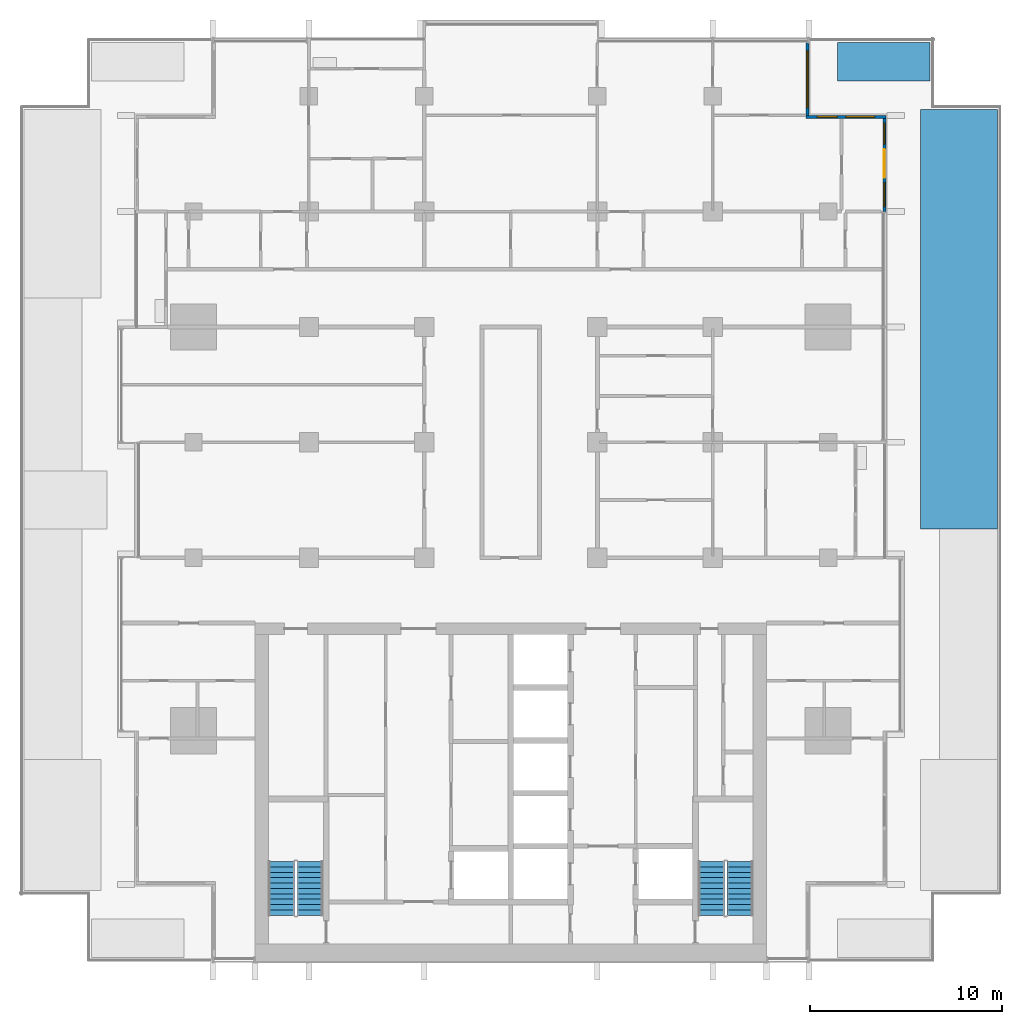
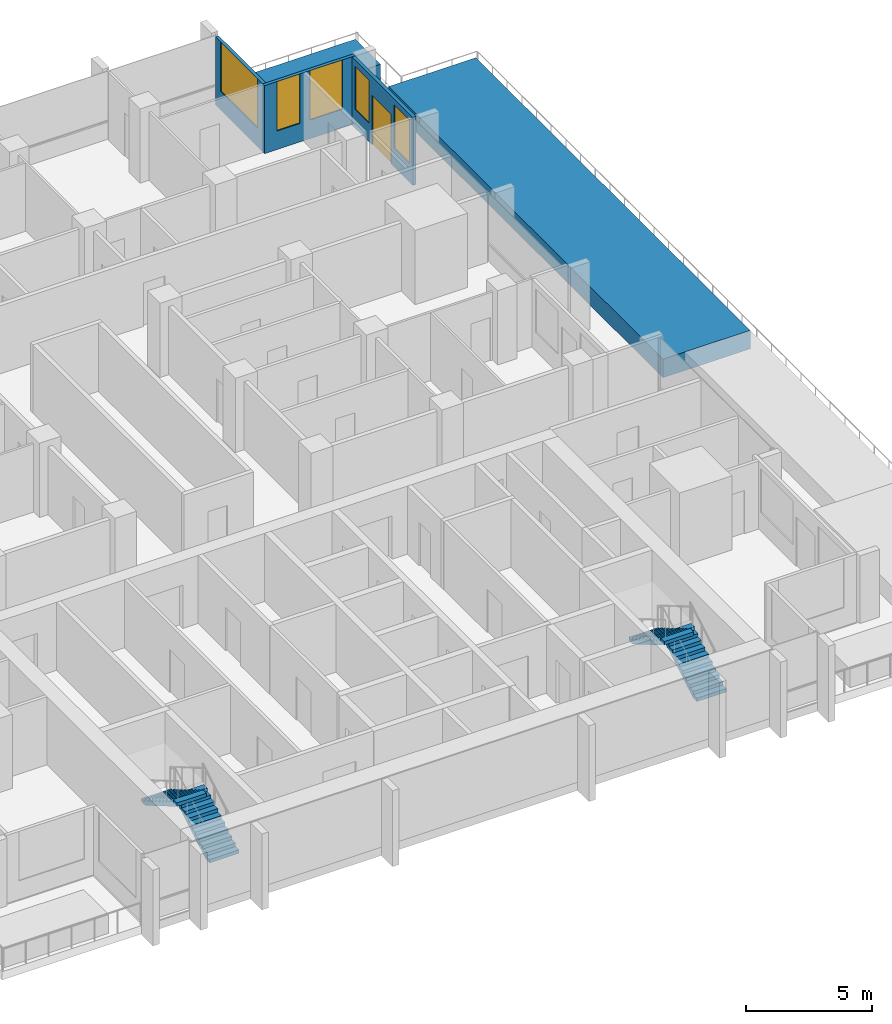
# One storey, part 12 of 18: 5 walls, 5 windows, 4 stair flights, 1 door, 6 openings, 2 elements without a shape of their own.
"""IFC4 building model written with IfcOpenShell, lengths in metres."""

from ifc_helpers import new_model, si_unit, direction, frame, frame_2d, origin, place, context, subcontext, project, spatial, polyline, rectangle, outline, extrude, material, layer, layer_set, type_object, element, fill, aggregate, save


model = new_model("IFC4")

# Units and contexts
model_context = context("Model", 3, precision=1e-05, world=origin(), true_north=direction((0.0, 1.0)))
body_context = subcontext(model_context, "Body", "Model", "MODEL_VIEW")
ifc_project = project(units=[si_unit("LENGTHUNIT", "METRE"), si_unit("AREAUNIT", "SQUARE_METRE"), si_unit("VOLUMEUNIT", "CUBIC_METRE"), si_unit("PLANEANGLEUNIT", "RADIAN"), si_unit("MASSUNIT", "GRAM", prefix="KILO")], contexts=[model_context])

# Site, building, storey
site_placement = place(None, origin())
site = spatial("IfcSite", under=ifc_project, at=site_placement, CompositionType="ELEMENT")
building_placement = place(site_placement, origin())
building = spatial("IfcBuilding", under=site, at=building_placement, Name="Finial Court Residences", CompositionType="ELEMENT")
storey_placement = place(building_placement, frame((0.0, 0.0, 149.300048828125)))
storey = spatial("IfcBuildingStorey", under=building, at=storey_placement, Name="L36", CompositionType="ELEMENT", Elevation=149.300048828125)

# Wall, opening, window
ifc_material_1 = material(Name="Natural limestone", Category="masonry")
ifc_layer_1 = layer(ifc_material_1, 0.14990234375)
ifc_layer_set_1 = layer_set([ifc_layer_1], Name="Limestone clad wall 150")
wall_type_1 = type_object("IfcWallType", Name="Limestone clad wall 150", PredefinedType="SOLIDWALL", material=ifc_layer_set_1)
wall_1_placement = place(storey_placement, frame((15.425048828125, 22.262451171875, 0.0), z_axis=(0.0, 0.0, 1.0), x_axis=(0.0, -1.0, 0.0)))
wall_1 = element("IfcWall", 1, at=wall_1_placement, inside=storey, type_object=wall_type_1, Name="E-L36-NWE17", PredefinedType="SOLIDWALL", context=body_context, shape_type="SweptSolid", body=[
    extrude(rectangle(XDim=3.762451171875, YDim=0.14990234375, at=frame_2d((1.88134765625, 0.0))), origin(), (0.0, 0.0, 1.0), 3.300048828125),
])
opening_1_placement = place(wall_1_placement, frame((0.401123046875, 0.0, 0.89990234375)))
opening_1 = element("IfcOpeningElement", 2, at=opening_1_placement, cuts=wall_1, Name="Opening WE36-07", PredefinedType="OPENING", context=body_context, shape_type="SweptSolid", body=[
    extrude(rectangle(XDim=2.9599609375, YDim=2.39990234375, at=frame_2d((1.47998046875, 1.199951171875))), frame((0.0, 0.0849609375, 0.0), z_axis=(0.0, -1.0, 0.0), x_axis=(1.0, 0.0, 0.0)), (0.0, 0.0, 1.0), 0.169921875),
])
ifc_material_2 = material(Name="Clear low-e glass", Category="glass")
window_type_1 = type_object("IfcWindowType", Name="Corner window 2960 x 2400", PartitioningType="SINGLE_PANEL", PredefinedType="WINDOW", material=ifc_material_2)
window_1_placement = place(opening_1_placement, origin())
window_1 = element("IfcWindow", 3, at=window_1_placement, inside=storey, type_object=window_type_1, Name="E-L36-NWE17-W1", OverallHeight=2.39990234375, OverallWidth=2.9599609375, PartitioningType="SINGLE_PANEL", PredefinedType="WINDOW", context=body_context, shape_type="SweptSolid", body=[
    extrude(rectangle(XDim=2.9599609375, YDim=2.39990234375, at=frame_2d((1.47998046875, 1.199951171875))), frame((0.0, 0.030029296875, 0.0), z_axis=(0.0, -1.0, 0.0), x_axis=(1.0, 0.0, 0.0)), (0.0, 0.0, 1.0), 0.06005859375),
])
fill(opening_1, window_1)

# Wall, openings, windows
wall_2_placement = place(storey_placement, frame((15.35009765625, 18.425048828125, 0.0), z_axis=(0.0, 0.0, 1.0), x_axis=(1.0, 0.0, 0.0)))
wall_2 = element("IfcWall", 4, at=wall_2_placement, inside=storey, type_object=wall_type_1, Name="E-L36-NWN18", PredefinedType="SOLIDWALL", context=body_context, shape_type="SweptSolid", body=[
    extrude(rectangle(XDim=4.14990234375, YDim=0.14990234375, at=frame_2d((2.074951171875, 0.0))), origin(), (0.0, 0.0, 1.0), 3.300048828125),
])
opening_2_placement = place(wall_2_placement, frame((0.574951171875, 0.0, 0.89990234375)))
opening_2 = element("IfcOpeningElement", 5, at=opening_2_placement, cuts=wall_2, Name="Opening WE36-08", PredefinedType="OPENING", context=body_context, shape_type="SweptSolid", body=[
    extrude(rectangle(XDim=1.050048828125, YDim=2.39990234375, at=frame_2d((0.52490234375, 1.199951171875))), frame((0.0, 0.0849609375, 0.0), z_axis=(0.0, -1.0, 0.0), x_axis=(1.0, 0.0, 0.0)), (0.0, 0.0, 1.0), 0.169921875),
])
opening_3_placement = place(wall_2_placement, frame((2.074951171875, 0.0, 0.89990234375)))
opening_3 = element("IfcOpeningElement", 6, at=opening_3_placement, cuts=wall_2, Name="Opening WE36-09", PredefinedType="OPENING", context=body_context, shape_type="SweptSolid", body=[
    extrude(rectangle(XDim=1.5, YDim=2.39990234375, at=frame_2d((0.75, 1.199951171875))), frame((0.0, 0.0849609375, 0.0), z_axis=(0.0, -1.0, 0.0), x_axis=(1.0, 0.0, 0.0)), (0.0, 0.0, 1.0), 0.169921875),
])
window_type_2 = type_object("IfcWindowType", Name="Corner window 1050 x 2400", PartitioningType="SINGLE_PANEL", PredefinedType="WINDOW", material=ifc_material_2)
window_2_placement = place(opening_2_placement, origin())
window_2 = element("IfcWindow", 7, at=window_2_placement, inside=storey, type_object=window_type_2, Name="E-L36-NWN18-W1", OverallHeight=2.39990234375, OverallWidth=1.050048828125, PartitioningType="SINGLE_PANEL", PredefinedType="WINDOW", context=body_context, shape_type="SweptSolid", body=[
    extrude(rectangle(XDim=1.050048828125, YDim=2.39990234375, at=frame_2d((0.52490234375, 1.199951171875))), frame((0.0, 0.030029296875, 0.0), z_axis=(0.0, -1.0, 0.0), x_axis=(1.0, 0.0, 0.0)), (0.0, 0.0, 1.0), 0.06005859375),
])
fill(opening_2, window_2)
window_type_3 = type_object("IfcWindowType", Name="Corner window 1500 x 2400", PartitioningType="SINGLE_PANEL", PredefinedType="WINDOW", material=ifc_material_2)
window_3_placement = place(opening_3_placement, origin())
window_3 = element("IfcWindow", 8, at=window_3_placement, inside=storey, type_object=window_type_3, Name="E-L36-NWN18-W2", OverallHeight=2.39990234375, OverallWidth=1.5, PartitioningType="SINGLE_PANEL", PredefinedType="WINDOW", context=body_context, shape_type="SweptSolid", body=[
    extrude(rectangle(XDim=1.5, YDim=2.39990234375, at=frame_2d((0.75, 1.199951171875))), frame((0.0, 0.030029296875, 0.0), z_axis=(0.0, -1.0, 0.0), x_axis=(1.0, 0.0, 0.0)), (0.0, 0.0, 1.0), 0.06005859375),
])
fill(opening_3, window_3)

# Wall, openings, door, windows
wall_3_placement = place(storey_placement, frame((19.425048828125, 18.35009765625, 0.0), z_axis=(0.0, 0.0, 1.0), x_axis=(0.0, -1.0, 0.0)))
wall_3 = element("IfcWall", 9, at=wall_3_placement, inside=storey, type_object=wall_type_1, Name="E-L36-L36-TD2-W", PredefinedType="SOLIDWALL", context=body_context, shape_type="SweptSolid", body=[
    extrude(rectangle(XDim=4.85009765625, YDim=0.14990234375, at=frame_2d((2.425048828125, 0.0))), origin(), (0.0, 0.0, 1.0), 3.300048828125),
])
opening_4_placement = place(wall_3_placement, frame((1.60009765625, 0.0, 0.0)))
opening_4 = element("IfcOpeningElement", 10, at=opening_4_placement, cuts=wall_3, Name="Opening DE36-05", PredefinedType="OPENING", context=body_context, shape_type="SweptSolid", body=[
    extrude(rectangle(XDim=1.5, YDim=2.39990234375, at=frame_2d((0.75, 1.199951171875))), frame((0.0, 0.0849609375, 0.0), z_axis=(0.0, -1.0, 0.0), x_axis=(1.0, 0.0, 0.0)), (0.0, 0.0, 1.0), 0.169921875),
])
opening_5_placement = place(wall_3_placement, frame((3.35009765625, 0.0, 0.89990234375)))
opening_5 = element("IfcOpeningElement", 11, at=opening_5_placement, cuts=wall_3, Name="Opening WE36-17", PredefinedType="OPENING", context=body_context, shape_type="SweptSolid", body=[
    extrude(rectangle(XDim=1.25, YDim=2.10009765625, at=frame_2d((0.625, 1.050048828125))), frame((0.0, 0.0849609375, 0.0), z_axis=(0.0, -1.0, 0.0), x_axis=(1.0, 0.0, 0.0)), (0.0, 0.0, 1.0), 0.169921875),
])
opening_6_placement = place(wall_3_placement, frame((0.25, 0.0, 0.89990234375)))
opening_6 = element("IfcOpeningElement", 12, at=opening_6_placement, cuts=wall_3, Name="Opening WE36-18", PredefinedType="OPENING", context=body_context, shape_type="SweptSolid", body=[
    extrude(rectangle(XDim=1.10009765625, YDim=2.10009765625, at=frame_2d((0.550048828125, 1.050048828125))), frame((0.0, 0.0849609375, 0.0), z_axis=(0.0, -1.0, 0.0), x_axis=(1.0, 0.0, 0.0)), (0.0, 0.0, 1.0), 0.169921875),
])
ifc_material_3 = material(Name="Bronze anodised aluminium", Category="aluminium")
door_type = type_object("IfcDoorType", Name="Terrace door 1500 x 2400", OperationType="DOUBLE_DOOR_SINGLE_SWING", PredefinedType="DOOR", material=ifc_material_3)
door_placement = place(opening_4_placement, origin())
door = element("IfcDoor", 13, at=door_placement, inside=storey, type_object=door_type, Name="E-L36-L36-TD2-W-D", OperationType="DOUBLE_DOOR_SINGLE_SWING", OverallHeight=2.39990234375, OverallWidth=1.5, PredefinedType="DOOR", context=body_context, shape_type="SweptSolid", body=[
    extrude(rectangle(XDim=1.5, YDim=2.39990234375, at=frame_2d((0.75, 1.199951171875))), frame((0.0, 0.02490234375, 0.0), z_axis=(0.0, -1.0, 0.0), x_axis=(1.0, 0.0, 0.0)), (0.0, 0.0, 1.0), 0.050048828125),
])
fill(opening_4, door)
window_type_4 = type_object("IfcWindowType", Name="Terrace window 1100 x 2100", PartitioningType="SINGLE_PANEL", PredefinedType="WINDOW", material=ifc_material_2)
window_4_placement = place(opening_6_placement, origin())
window_4 = element("IfcWindow", 14, at=window_4_placement, inside=storey, type_object=window_type_4, Name="E-L36-L36-TD2-W-W2", OverallHeight=2.10009765625, OverallWidth=1.10009765625, PartitioningType="SINGLE_PANEL", PredefinedType="WINDOW", context=body_context, shape_type="SweptSolid", body=[
    extrude(rectangle(XDim=1.10009765625, YDim=2.10009765625, at=frame_2d((0.550048828125, 1.050048828125))), frame((0.0, 0.030029296875, 0.0), z_axis=(0.0, -1.0, 0.0), x_axis=(1.0, 0.0, 0.0)), (0.0, 0.0, 1.0), 0.06005859375),
])
fill(opening_6, window_4)
window_type_5 = type_object("IfcWindowType", Name="Terrace window 1250 x 2100", PartitioningType="SINGLE_PANEL", PredefinedType="WINDOW", material=ifc_material_2)
window_5_placement = place(opening_5_placement, origin())
window_5 = element("IfcWindow", 15, at=window_5_placement, inside=storey, type_object=window_type_5, Name="E-L36-L36-TD2-W-W1", OverallHeight=2.10009765625, OverallWidth=1.25, PartitioningType="SINGLE_PANEL", PredefinedType="WINDOW", context=body_context, shape_type="SweptSolid", body=[
    extrude(rectangle(XDim=1.25, YDim=2.10009765625, at=frame_2d((0.625, 1.050048828125))), frame((0.0, 0.030029296875, 0.0), z_axis=(0.0, -1.0, 0.0), x_axis=(1.0, 0.0, 0.0)), (0.0, 0.0, 1.0), 0.06005859375),
])
fill(opening_5, window_5)

# Walls
ifc_material_4 = material(Name="Concrete C40/50", Category="concrete")
ifc_layer_2 = layer(ifc_material_4, 0.199951171875)
ifc_material_5 = material(Name="Planting soil", Category="soil")
ifc_layer_3 = layer(ifc_material_5, 1.60009765625)
ifc_layer_4 = layer(ifc_material_4, 0.199951171875)
ifc_layer_set_2 = layer_set([ifc_layer_2, ifc_layer_3, ifc_layer_4], Name="Planter wall, terrace 2000")
wall_type_2 = type_object("IfcWallType", Name="Planter wall, terrace 2000", PredefinedType="USERDEFINED", material=ifc_layer_set_2)
wall_4_placement = place(storey_placement, frame((17.0, 21.300048828125, 0.0), z_axis=(0.0, 0.0, 1.0), x_axis=(1.0, 0.0, 0.0)))
element("IfcWall", 16, at=wall_4_placement, inside=storey, type_object=wall_type_2, Name="E-L36-TER1-PL2", ObjectType="PLANTER", PredefinedType="USERDEFINED", context=body_context, shape_type="SweptSolid", body=[
    extrude(rectangle(XDim=4.800048828125, YDim=2.0, at=frame_2d((2.39990234375, 0.0))), origin(), (0.0, 0.0, 1.0), 0.89990234375),
])
ifc_layer_5 = layer(ifc_material_4, 0.199951171875)
ifc_layer_6 = layer(ifc_material_5, 3.60009765625)
ifc_layer_7 = layer(ifc_material_4, 0.199951171875)
ifc_layer_set_3 = layer_set([ifc_layer_5, ifc_layer_6, ifc_layer_7], Name="Planter wall, terrace 4000")
wall_type_3 = type_object("IfcWallType", Name="Planter wall, terrace 4000", PredefinedType="USERDEFINED", material=ifc_layer_set_3)
wall_5_placement = place(storey_placement, frame((23.300048828125, -3.0, 0.0), z_axis=(0.0, 0.0, 1.0), x_axis=(0.0, 1.0, 0.0)))
element("IfcWall", 17, at=wall_5_placement, inside=storey, type_object=wall_type_3, Name="E-L36-TER1-PL4", ObjectType="PLANTER", PredefinedType="USERDEFINED", context=body_context, shape_type="SweptSolid", body=[
    extrude(rectangle(XDim=21.800048828125, YDim=4.0, at=frame_2d((10.89990234375, 0.0))), origin(), (0.0, 0.0, 1.0), 0.89990234375),
])

# Stair, stair flights
ifc_material_6 = material(Name="Concrete C50/60", Category="concrete")
stair_type = type_object("IfcStairType", Name="Exit stair 22 risers of 163.6 mm", PredefinedType="HALF_TURN_STAIR", material=ifc_material_6)
stair_1_placement = place(storey_placement, origin())
stair_1 = element("IfcStair", 18, at=stair_1_placement, inside=storey, type_object=stair_type, Name="L36 Exit stair ST-1", PredefinedType="HALF_TURN_STAIR")
stair_flight_type = type_object("IfcStairFlightType", Name="Exit stair flight", PredefinedType="STRAIGHT", material=ifc_material_6)
stair_flight_1_placement = place(storey_placement, frame((-10.425048828125, -23.10009765625, 0.0), z_axis=(0.0, 0.0, 1.0), x_axis=(0.0, 1.0, 0.0)))
stair_flight_1 = element("IfcStairFlight", 19, at=stair_flight_1_placement, type_object=stair_flight_type, Name="ST-1 flight 1", NumberOfRisers=11, NumberOfTreads=10, PredefinedType="STRAIGHT", RiserHeight=0.163636364, TreadLength=0.28, context=body_context, shape_type="SweptSolid", body=[
    extrude(outline(polyline([(0.0, 0.0), (0.0, 0.16357421875), (0.280029296875, 0.16357421875), (0.280029296875, 0.327392578125), (0.56005859375, 0.327392578125), (0.56005859375, 0.490966796875), (0.840087890625, 0.490966796875), (0.840087890625, 0.654541015625), (1.1201171875, 0.654541015625), (1.1201171875, 0.818115234375), (1.39990234375, 0.818115234375), (1.39990234375, 0.98193359375), (1.679931640625, 0.98193359375), (1.679931640625, 1.1455078125), (1.9599609375, 1.1455078125), (1.9599609375, 1.30908203125), (2.239990234375, 1.30908203125), (2.239990234375, 1.47265625), (2.52001953125, 1.47265625), (2.52001953125, 1.636474609375), (2.800048828125, 1.636474609375), (2.800048828125, 1.800048828125), (2.800048828125, 1.462646484375), (0.297119140625, 0.0), (0.0, 0.0)])), frame((0.0, 0.675048828125, 0.0), z_axis=(0.0, -1.0, 0.0), x_axis=(1.0, 0.0, 0.0)), (0.0, 0.0, 1.0), 1.35009765625),
])
stair_flight_2_placement = place(storey_placement, frame((-11.925048828125, -20.300048828125, 1.800048828125), z_axis=(0.0, 0.0, 1.0), x_axis=(0.0, -1.0, 0.0)))
stair_flight_2 = element("IfcStairFlight", 20, at=stair_flight_2_placement, type_object=stair_flight_type, Name="ST-1 flight 2", NumberOfRisers=11, NumberOfTreads=10, PredefinedType="STRAIGHT", RiserHeight=0.163636364, TreadLength=0.28, context=body_context, shape_type="SweptSolid", body=[
    extrude(outline(polyline([(0.0, 0.0), (0.0, 0.16357421875), (0.280029296875, 0.16357421875), (0.280029296875, 0.327392578125), (0.56005859375, 0.327392578125), (0.56005859375, 0.490966796875), (0.840087890625, 0.490966796875), (0.840087890625, 0.654541015625), (1.1201171875, 0.654541015625), (1.1201171875, 0.818115234375), (1.39990234375, 0.818115234375), (1.39990234375, 0.98193359375), (1.679931640625, 0.98193359375), (1.679931640625, 1.1455078125), (1.9599609375, 1.1455078125), (1.9599609375, 1.30908203125), (2.239990234375, 1.30908203125), (2.239990234375, 1.47265625), (2.52001953125, 1.47265625), (2.52001953125, 1.636474609375), (2.800048828125, 1.636474609375), (2.800048828125, 1.800048828125), (2.800048828125, 1.462646484375), (0.297119140625, 0.0), (0.0, 0.0)])), frame((0.0, 0.675048828125, 0.0), z_axis=(0.0, -1.0, 0.0), x_axis=(1.0, 0.0, 0.0)), (0.0, 0.0, 1.0), 1.35009765625),
])
aggregate(stair_1, [stair_flight_1, stair_flight_2])

stair_2_placement = place(storey_placement, origin())
stair_2 = element("IfcStair", 21, at=stair_2_placement, inside=storey, type_object=stair_type, Name="L36 Exit stair ST-2", PredefinedType="HALF_TURN_STAIR")
stair_flight_3_placement = place(storey_placement, frame((11.925048828125, -23.10009765625, 0.0), z_axis=(0.0, 0.0, 1.0), x_axis=(0.0, 1.0, 0.0)))
stair_flight_3 = element("IfcStairFlight", 22, at=stair_flight_3_placement, type_object=stair_flight_type, Name="ST-2 flight 1", NumberOfRisers=11, NumberOfTreads=10, PredefinedType="STRAIGHT", RiserHeight=0.163636364, TreadLength=0.28, context=body_context, shape_type="SweptSolid", body=[
    extrude(outline(polyline([(0.0, 0.0), (0.0, 0.16357421875), (0.280029296875, 0.16357421875), (0.280029296875, 0.327392578125), (0.56005859375, 0.327392578125), (0.56005859375, 0.490966796875), (0.840087890625, 0.490966796875), (0.840087890625, 0.654541015625), (1.1201171875, 0.654541015625), (1.1201171875, 0.818115234375), (1.39990234375, 0.818115234375), (1.39990234375, 0.98193359375), (1.679931640625, 0.98193359375), (1.679931640625, 1.1455078125), (1.9599609375, 1.1455078125), (1.9599609375, 1.30908203125), (2.239990234375, 1.30908203125), (2.239990234375, 1.47265625), (2.52001953125, 1.47265625), (2.52001953125, 1.636474609375), (2.800048828125, 1.636474609375), (2.800048828125, 1.800048828125), (2.800048828125, 1.462646484375), (0.297119140625, 0.0), (0.0, 0.0)])), frame((0.0, 0.675048828125, 0.0), z_axis=(0.0, -1.0, 0.0), x_axis=(1.0, 0.0, 0.0)), (0.0, 0.0, 1.0), 1.35009765625),
])
stair_flight_4_placement = place(storey_placement, frame((10.425048828125, -20.300048828125, 1.800048828125), z_axis=(0.0, 0.0, 1.0), x_axis=(0.0, -1.0, 0.0)))
stair_flight_4 = element("IfcStairFlight", 23, at=stair_flight_4_placement, type_object=stair_flight_type, Name="ST-2 flight 2", NumberOfRisers=11, NumberOfTreads=10, PredefinedType="STRAIGHT", RiserHeight=0.163636364, TreadLength=0.28, context=body_context, shape_type="SweptSolid", body=[
    extrude(outline(polyline([(0.0, 0.0), (0.0, 0.16357421875), (0.280029296875, 0.16357421875), (0.280029296875, 0.327392578125), (0.56005859375, 0.327392578125), (0.56005859375, 0.490966796875), (0.840087890625, 0.490966796875), (0.840087890625, 0.654541015625), (1.1201171875, 0.654541015625), (1.1201171875, 0.818115234375), (1.39990234375, 0.818115234375), (1.39990234375, 0.98193359375), (1.679931640625, 0.98193359375), (1.679931640625, 1.1455078125), (1.9599609375, 1.1455078125), (1.9599609375, 1.30908203125), (2.239990234375, 1.30908203125), (2.239990234375, 1.47265625), (2.52001953125, 1.47265625), (2.52001953125, 1.636474609375), (2.800048828125, 1.636474609375), (2.800048828125, 1.800048828125), (2.800048828125, 1.462646484375), (0.297119140625, 0.0), (0.0, 0.0)])), frame((0.0, 0.675048828125, 0.0), z_axis=(0.0, -1.0, 0.0), x_axis=(1.0, 0.0, 0.0)), (0.0, 0.0, 1.0), 1.35009765625),
])
aggregate(stair_2, [stair_flight_3, stair_flight_4])

save(model, "model.ifc")
